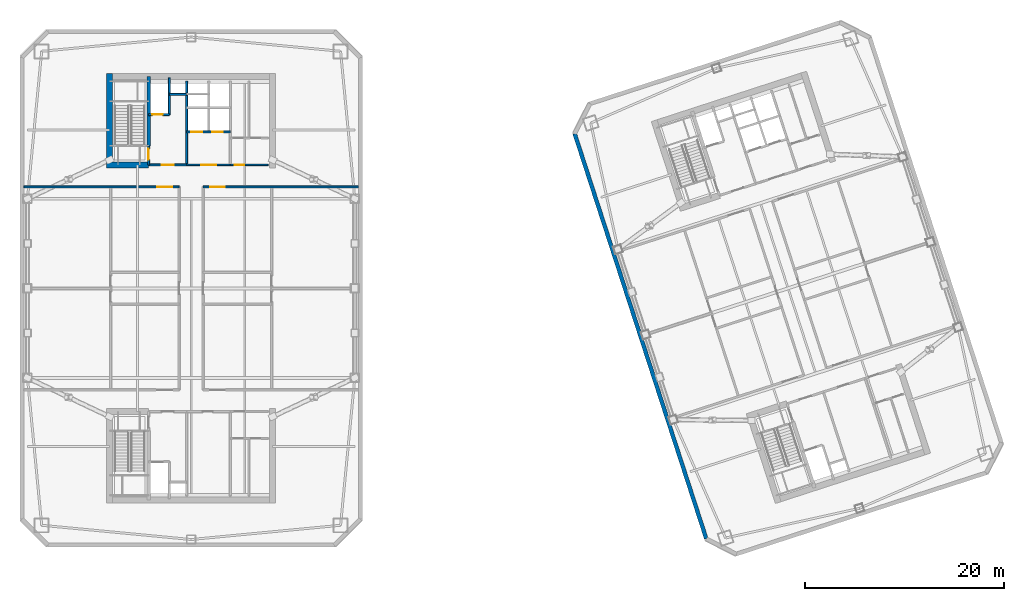
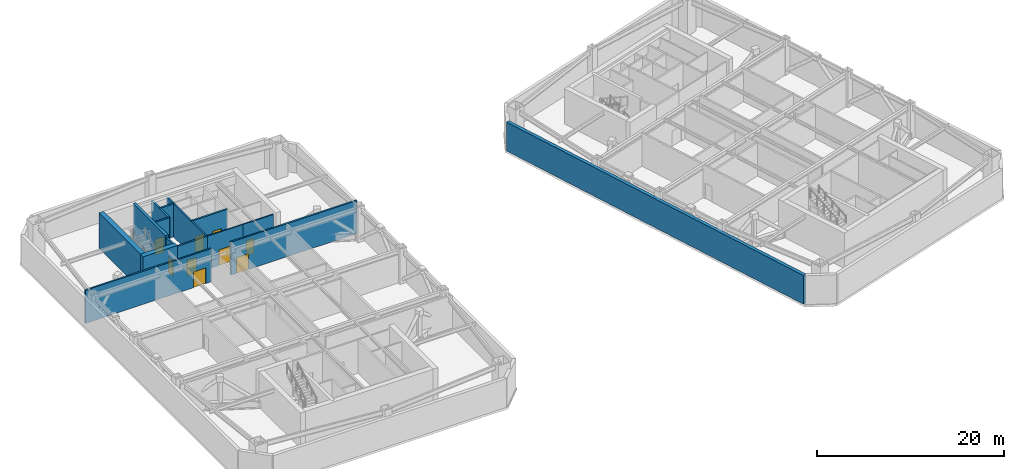
# One storey, part 11 of 17: 15 walls, 9 doors, 9 openings.
"""IFC4 building model written with IfcOpenShell, lengths in metres."""

from ifc_helpers import new_model, si_unit, direction, frame, frame_2d, origin, place, context, subcontext, project, spatial, rectangle, extrude, material, layer, layer_set, type_object, element, fill, save


model = new_model("IFC4")

# Units and contexts
model_context = context("Model", 3, precision=1e-05, world=origin(), true_north=direction((0.0, 1.0)))
body_context = subcontext(model_context, "Body", "Model", "MODEL_VIEW")
ifc_project = project(units=[si_unit("LENGTHUNIT", "METRE"), si_unit("AREAUNIT", "SQUARE_METRE"), si_unit("VOLUMEUNIT", "CUBIC_METRE"), si_unit("PLANEANGLEUNIT", "RADIAN"), si_unit("MASSUNIT", "GRAM", prefix="KILO")], contexts=[model_context])

# Site, building, storey
site_placement = place(None, origin())
site = spatial("IfcSite", under=ifc_project, at=site_placement, CompositionType="ELEMENT")
building_placement = place(site_placement, origin())
building = spatial("IfcBuilding", under=site, at=building_placement, Name="Qiaolan Cultural Towers", CompositionType="ELEMENT")
storey_placement = place(building_placement, frame((0.0, 0.0, 184.0)))
storey = spatial("IfcBuildingStorey", under=building, at=storey_placement, Name="L49", CompositionType="ELEMENT", Elevation=184.0)

# Walls
ifc_material_1 = material(Name="Concrete C50", Category="concrete")
ifc_layer_1 = layer(ifc_material_1, 0.35009765625)
ifc_layer_set_1 = layer_set([ifc_layer_1], Name="Concrete C50")
wall_type_1 = type_object("IfcWallType", Name="WL-CORE-350", PredefinedType="SHEAR", material=ifc_layer_set_1)
wall_1_placement = place(storey_placement, frame((25.719970703125, 48.300048828125, 0.0), z_axis=(0.0, 0.0, 1.0), x_axis=(0.0, 1.0, 0.0)))
element("IfcWall", 1, at=wall_1_placement, inside=storey, type_object=wall_type_1, Name="L49 T1-CN Stair Core Dividing Web", PredefinedType="SHEAR", context=body_context, shape_type="SweptSolid", body=[
    extrude(rectangle(XDim=6.97998046875, YDim=0.35009765625, at=frame_2d((3.489990234375, 0.0))), origin(), (0.0, 0.0, 1.0), 4.60009765625),
])
ifc_material_2 = material(Name="Concrete C55", Category="concrete")
ifc_layer_2 = layer(ifc_material_2, 0.60009765625)
ifc_layer_set_2 = layer_set([ifc_layer_2], Name="Concrete C55")
wall_type_2 = type_object("IfcWallType", Name="WL-CORE-600", PredefinedType="SHEAR", material=ifc_layer_set_2)
wall_2_placement = place(storey_placement, frame((21.800048828125, 46.10009765625, 0.0), z_axis=(0.0, 0.0, 1.0), x_axis=(0.0, 1.0, 0.0)))
element("IfcWall", 2, at=wall_2_placement, inside=storey, type_object=wall_type_2, Name="L49 T1-CN West Core Shear Wall", PredefinedType="SHEAR", context=body_context, shape_type="SweptSolid", body=[
    extrude(rectangle(XDim=9.47998046875, YDim=0.60009765625, at=frame_2d((4.739990234375, 0.0))), origin(), (0.0, 0.0, 1.0), 4.60009765625),
])
wall_3_placement = place(storey_placement, frame((21.5, 46.39990234375, 0.0), z_axis=(0.0, 0.0, 1.0), x_axis=(1.0, 0.0, 0.0)))
element("IfcWall", 3, at=wall_3_placement, inside=storey, type_object=wall_type_2, Name="L49 T1-CN Stair Front Shear Wall", PredefinedType="SHEAR", context=body_context, shape_type="SweptSolid", body=[
    extrude(rectangle(XDim=4.219970703125, YDim=0.60009765625, at=frame_2d((2.10986328125, 0.0))), origin(), (0.0, 0.0, 1.0), 4.60009765625),
])
ifc_material_3 = material(Name="Precast Concrete C50 Honed Stone Pier", Category="masonry")
ifc_layer_3 = layer(ifc_material_3, 0.39990234375)
ifc_layer_set_3 = layer_set([ifc_layer_3], Name="Precast Concrete C50 Honed Stone Pier")
wall_type_3 = type_object("IfcWallType", Name="WL-EXT-PIER-400", PredefinedType="SOLIDWALL", material=ifc_layer_set_3)
wall_4_placement = place(storey_placement, frame((81.7763671875, 8.82666015625, 0.0), z_axis=(0.0, 0.0, 1.0), x_axis=(-0.309014228706, 0.951057414911, 0.0)))
element("IfcWall", 4, at=wall_4_placement, inside=storey, type_object=wall_type_3, Name="L49 East Tower Precast Pier Facade Wall F1", PredefinedType="SOLIDWALL", context=body_context, shape_type="SweptSolid", body=[
    extrude(rectangle(XDim=42.800048828125, YDim=0.39990234375, at=frame_2d((21.39990234375, 0.0))), origin(), (0.0, 0.0, 1.0), 3.760009765625),
])

# Wall, opening, door
ifc_material_4 = material(Name="Concrete C35 Fire Wall", Category="concrete")
ifc_layer_4 = layer(ifc_material_4, 0.199951171875)
ifc_layer_set_4 = layer_set([ifc_layer_4], Name="Concrete C35 Fire Wall")
wall_type_4 = type_object("IfcWallType", Name="WL-FIRE-200", PredefinedType="PARTITIONING", material=ifc_layer_set_4)
wall_5_placement = place(storey_placement, frame((25.719970703125, 46.39990234375, 0.0), z_axis=(0.0, 0.0, 1.0), x_axis=(0.0, 1.0, 0.0)))
wall_5 = element("IfcWall", 5, at=wall_5_placement, inside=storey, type_object=wall_type_4, Name="L49 T1-CN Smokeproof Stair Entry Wall", PredefinedType="PARTITIONING", context=body_context, shape_type="SweptSolid", body=[
    extrude(rectangle(XDim=1.900146484375, YDim=0.199951171875, at=frame_2d((0.9501953125, 0.0))), origin(), (0.0, 0.0, 1.0), 4.324951171875),
])
opening_1_placement = place(wall_5_placement, frame((0.52001953125, 0.0, 0.0)))
opening_1 = element("IfcOpeningElement", 6, at=opening_1_placement, cuts=wall_5, Name="Opening FD-04", PredefinedType="OPENING", context=body_context, shape_type="SweptSolid", body=[
    extrude(rectangle(XDim=1.10009765625, YDim=2.050048828125, at=frame_2d((0.550048828125, 1.02490234375))), frame((0.0, 0.10986328125, 0.0), z_axis=(0.0, -1.0, 0.0), x_axis=(1.0, 0.0, 0.0)), (0.0, 0.0, 1.0), 0.219970703125),
])
ifc_material_5 = material(Name="Galvanized Steel Command Fire Door", Category="steel")
door_type_1 = type_object("IfcDoorType", Name="DR-FD90-1100", OperationType="NOTDEFINED", PredefinedType="DOOR", material=ifc_material_5)
door_1_placement = place(opening_1_placement, origin())
door_1 = element("IfcDoor", 7, at=door_1_placement, inside=storey, type_object=door_type_1, Name="L49 ST-W2 Smokeproof Stair Fire Door", OperationType="SINGLE_SWING_LEFT", OverallHeight=2.050048828125, OverallWidth=1.10009765625, PredefinedType="DOOR", context=body_context, shape_type="SweptSolid", body=[
    extrude(rectangle(XDim=1.10009765625, YDim=2.050048828125, at=frame_2d((0.550048828125, 1.02490234375))), frame((0.0, 0.02490234375, 0.0), z_axis=(0.0, -1.0, 0.0), x_axis=(1.0, 0.0, 0.0)), (0.0, 0.0, 1.0), 0.050048828125),
])
fill(opening_1, door_1)

# Wall
wall_6_placement = place(storey_placement, frame((29.550048828125, 46.39990234375, 0.0), z_axis=(0.0, 0.0, 1.0), x_axis=(0.0, 1.0, 0.0)))
element("IfcWall", 8, at=wall_6_placement, inside=storey, type_object=wall_type_4, Name="L49 T1-CN Firefighting Zone Wall", PredefinedType="PARTITIONING", context=body_context, shape_type="SweptSolid", body=[
    extrude(rectangle(XDim=8.43017578125, YDim=0.199951171875, at=frame_2d((4.215087890625, 0.0))), origin(), (0.0, 0.0, 1.0), 4.324951171875),
])

# Wall, opening, door
wall_7_placement = place(storey_placement, frame((25.719970703125, 46.39990234375, 0.0), z_axis=(0.0, 0.0, 1.0), x_axis=(1.0, 0.0, 0.0)))
wall_7 = element("IfcWall", 9, at=wall_7_placement, inside=storey, type_object=wall_type_4, Name="L49 T1-CN Firefighting Lobby Front Wall", PredefinedType="PARTITIONING", context=body_context, shape_type="SweptSolid", body=[
    extrude(rectangle(XDim=3.830078125, YDim=0.199951171875, at=frame_2d((1.9150390625, 0.0))), origin(), (0.0, 0.0, 1.0), 4.324951171875),
])
opening_2_placement = place(wall_7_placement, frame((1.35009765625, 0.0, 0.0)))
opening_2 = element("IfcOpeningElement", 10, at=opening_2_placement, cuts=wall_7, Name="Opening FD-03", PredefinedType="OPENING", context=body_context, shape_type="SweptSolid", body=[
    extrude(rectangle(XDim=1.199951171875, YDim=2.050048828125, at=frame_2d((0.60009765625, 1.02490234375))), frame((0.0, 0.10986328125, 0.0), z_axis=(0.0, -1.0, 0.0), x_axis=(1.0, 0.0, 0.0)), (0.0, 0.0, 1.0), 0.219970703125),
])
ifc_material_6 = material(Name="Galvanized Steel Smokeproof Lobby Fire Door", Category="steel")
door_type_2 = type_object("IfcDoorType", Name="DR-FD90-1200", OperationType="NOTDEFINED", PredefinedType="DOOR", material=ifc_material_6)
door_2_placement = place(opening_2_placement, origin())
door_2 = element("IfcDoor", 11, at=door_2_placement, inside=storey, type_object=door_type_2, Name="L49 FFL-W2 Firefighting Lobby Fire Door", OperationType="SINGLE_SWING_LEFT", OverallHeight=2.050048828125, OverallWidth=1.199951171875, PredefinedType="DOOR", context=body_context, shape_type="SweptSolid", body=[
    extrude(rectangle(XDim=1.199951171875, YDim=2.050048828125, at=frame_2d((0.60009765625, 1.02490234375))), frame((0.0, 0.02490234375, 0.0), z_axis=(0.0, -1.0, 0.0), x_axis=(1.0, 0.0, 0.0)), (0.0, 0.0, 1.0), 0.050048828125),
])
fill(opening_2, door_2)

wall_8_placement = place(storey_placement, frame((25.719970703125, 51.449951171875, 0.0), z_axis=(0.0, 0.0, 1.0), x_axis=(1.0, 0.0, 0.0)))
wall_8 = element("IfcWall", 12, at=wall_8_placement, inside=storey, type_object=wall_type_4, Name="L49 T1-CN Firefighting Shaft Front Wall", PredefinedType="PARTITIONING", context=body_context, shape_type="SweptSolid", body=[
    extrude(rectangle(XDim=2.10009765625, YDim=0.199951171875, at=frame_2d((1.050048828125, 0.0))), origin(), (0.0, 0.0, 1.0), 4.324951171875),
])
opening_3_placement = place(wall_8_placement, frame((0.35009765625, 0.0, 0.0)))
opening_3 = element("IfcOpeningElement", 13, at=opening_3_placement, cuts=wall_8, Name="Opening LD-01", PredefinedType="OPENING", context=body_context, shape_type="SweptSolid", body=[
    extrude(rectangle(XDim=1.10009765625, YDim=2.050048828125, at=frame_2d((0.550048828125, 1.02490234375))), frame((0.0, 0.10986328125, 0.0), z_axis=(0.0, -1.0, 0.0), x_axis=(1.0, 0.0, 0.0)), (0.0, 0.0, 1.0), 0.219970703125),
])
ifc_material_7 = material(Name="Brushed Stainless Steel S30408 Centre-Parting Lift Landing Door", Category="steel")
door_type_3 = type_object("IfcDoorType", Name="DR-LIFT-1100", OperationType="NOTDEFINED", PredefinedType="DOOR", material=ifc_material_7)
door_3_placement = place(opening_3_placement, origin())
door_3 = element("IfcDoor", 14, at=door_3_placement, inside=storey, type_object=door_type_3, Name="L49 FFL-W2 Firefighting Lift Landing Door", OperationType="DOUBLE_DOOR_SLIDING", OverallHeight=2.050048828125, OverallWidth=1.10009765625, PredefinedType="DOOR", context=body_context, shape_type="SweptSolid", body=[
    extrude(rectangle(XDim=1.10009765625, YDim=2.050048828125, at=frame_2d((0.550048828125, 1.02490234375))), frame((0.0, 0.02490234375, 0.0), z_axis=(0.0, -1.0, 0.0), x_axis=(1.0, 0.0, 0.0)), (0.0, 0.0, 1.0), 0.050048828125),
])
fill(opening_3, door_3)

# Walls
wall_9_placement = place(storey_placement, frame((27.820068359375, 51.449951171875, 0.0), z_axis=(0.0, 0.0, 1.0), x_axis=(0.0, 1.0, 0.0)))
element("IfcWall", 15, at=wall_9_placement, inside=storey, type_object=wall_type_4, Name="L49 T1-CN Firefighting Hoistway East Wall", PredefinedType="PARTITIONING", context=body_context, shape_type="SweptSolid", body=[
    extrude(rectangle(XDim=3.699951171875, YDim=0.199951171875, at=frame_2d((1.85009765625, 0.0))), origin(), (0.0, 0.0, 1.0), 4.324951171875),
])
wall_10_placement = place(storey_placement, frame((27.820068359375, 53.47998046875, 0.0), z_axis=(0.0, 0.0, 1.0), x_axis=(1.0, 0.0, 0.0)))
element("IfcWall", 16, at=wall_10_placement, inside=storey, type_object=wall_type_4, Name="L49 T1-CN Pressurization Shaft Front Wall", PredefinedType="PARTITIONING", context=body_context, shape_type="SweptSolid", body=[
    extrude(rectangle(XDim=1.72998046875, YDim=0.199951171875, at=frame_2d((0.864990234375, 0.0))), origin(), (0.0, 0.0, 1.0), 4.324951171875),
])

# Wall, openings, doors
wall_11_placement = place(storey_placement, frame((29.550048828125, 49.719970703125, 0.0), z_axis=(0.0, 0.0, 1.0), x_axis=(1.0, 0.0, 0.0)))
wall_11 = element("IfcWall", 17, at=wall_11_placement, inside=storey, type_object=wall_type_4, Name="L49 T1-CN Passenger Lift Shaft Front Wall", PredefinedType="PARTITIONING", context=body_context, shape_type="SweptSolid", body=[
    extrude(rectangle(XDim=4.39990234375, YDim=0.199951171875, at=frame_2d((2.199951171875, 0.0))), origin(), (0.0, 0.0, 1.0), 4.324951171875),
])
opening_4_placement = place(wall_11_placement, frame((0.449951171875, 0.0, 0.0)))
opening_4 = element("IfcOpeningElement", 18, at=opening_4_placement, cuts=wall_11, Name="Opening LD-01", PredefinedType="OPENING", context=body_context, shape_type="SweptSolid", body=[
    extrude(rectangle(XDim=1.10009765625, YDim=2.050048828125, at=frame_2d((0.550048828125, 1.02490234375))), frame((0.0, 0.10986328125, 0.0), z_axis=(0.0, -1.0, 0.0), x_axis=(1.0, 0.0, 0.0)), (0.0, 0.0, 1.0), 0.219970703125),
])
opening_5_placement = place(wall_11_placement, frame((2.550048828125, 0.0, 0.0)))
opening_5 = element("IfcOpeningElement", 19, at=opening_5_placement, cuts=wall_11, Name="Opening LD-01", PredefinedType="OPENING", context=body_context, shape_type="SweptSolid", body=[
    extrude(rectangle(XDim=1.10009765625, YDim=2.050048828125, at=frame_2d((0.550048828125, 1.02490234375))), frame((0.0, 0.10986328125, 0.0), z_axis=(0.0, -1.0, 0.0), x_axis=(1.0, 0.0, 0.0)), (0.0, 0.0, 1.0), 0.219970703125),
])
door_4_placement = place(opening_4_placement, origin())
door_4 = element("IfcDoor", 20, at=door_4_placement, inside=storey, type_object=door_type_3, Name="L49 Passenger Lift 1 Landing Door", OperationType="DOUBLE_DOOR_SLIDING", OverallHeight=2.050048828125, OverallWidth=1.10009765625, PredefinedType="DOOR", context=body_context, shape_type="SweptSolid", body=[
    extrude(rectangle(XDim=1.10009765625, YDim=2.050048828125, at=frame_2d((0.550048828125, 1.02490234375))), frame((0.0, 0.02490234375, 0.0), z_axis=(0.0, -1.0, 0.0), x_axis=(1.0, 0.0, 0.0)), (0.0, 0.0, 1.0), 0.050048828125),
])
fill(opening_4, door_4)
door_5_placement = place(opening_5_placement, origin())
door_5 = element("IfcDoor", 21, at=door_5_placement, inside=storey, type_object=door_type_3, Name="L49 Passenger Lift 2 Landing Door", OperationType="DOUBLE_DOOR_SLIDING", OverallHeight=2.050048828125, OverallWidth=1.10009765625, PredefinedType="DOOR", context=body_context, shape_type="SweptSolid", body=[
    extrude(rectangle(XDim=1.10009765625, YDim=2.050048828125, at=frame_2d((0.550048828125, 1.02490234375))), frame((0.0, 0.02490234375, 0.0), z_axis=(0.0, -1.0, 0.0), x_axis=(1.0, 0.0, 0.0)), (0.0, 0.0, 1.0), 0.050048828125),
])
fill(opening_5, door_5)

# Wall, opening, door
wall_12_placement = place(storey_placement, frame((13.199951171875, 44.199951171875, 0.0), z_axis=(0.0, 0.0, 1.0), x_axis=(1.0, 0.0, 0.0)))
wall_12 = element("IfcWall", 22, at=wall_12_placement, inside=storey, type_object=wall_type_4, Name="L49 T1 Fire Rated Plant/Refuge Wall NBW", PredefinedType="PARTITIONING", context=body_context, shape_type="SweptSolid", body=[
    extrude(rectangle(XDim=15.60009765625, YDim=0.199951171875, at=frame_2d((7.800048828125, 0.0))), origin(), (0.0, 0.0, 1.0), 4.324951171875),
])
opening_6_placement = place(wall_12_placement, frame((13.39990234375, 0.0, 0.0)))
opening_6 = element("IfcOpeningElement", 23, at=opening_6_placement, cuts=wall_12, Name="Opening FD-02", PredefinedType="OPENING", context=body_context, shape_type="SweptSolid", body=[
    extrude(rectangle(XDim=1.5, YDim=2.050048828125, at=frame_2d((0.75, 1.02490234375))), frame((0.0, 0.10986328125, 0.0), z_axis=(0.0, -1.0, 0.0), x_axis=(1.0, 0.0, 0.0)), (0.0, 0.0, 1.0), 0.219970703125),
])
ifc_material_8 = material(Name="Galvanized Steel Double Fire Door", Category="steel")
door_type_4 = type_object("IfcDoorType", Name="DR-FD90-1500", OperationType="NOTDEFINED", PredefinedType="DOOR", material=ifc_material_8)
door_6_placement = place(opening_6_placement, origin())
door_6 = element("IfcDoor", 24, at=door_6_placement, inside=storey, type_object=door_type_4, Name="L49 T1 West North Refuge Fire Door", OperationType="SINGLE_SWING_LEFT", OverallHeight=2.050048828125, OverallWidth=1.5, PredefinedType="DOOR", context=body_context, shape_type="SweptSolid", body=[
    extrude(rectangle(XDim=1.5, YDim=2.050048828125, at=frame_2d((0.75, 1.02490234375))), frame((0.0, 0.02490234375, 0.0), z_axis=(0.0, -1.0, 0.0), x_axis=(1.0, 0.0, 0.0)), (0.0, 0.0, 1.0), 0.050048828125),
])
fill(opening_6, door_6)

wall_13_placement = place(storey_placement, frame((31.199951171875, 44.199951171875, 0.0), z_axis=(0.0, 0.0, 1.0), x_axis=(1.0, 0.0, 0.0)))
wall_13 = element("IfcWall", 25, at=wall_13_placement, inside=storey, type_object=wall_type_4, Name="L49 T1 Fire Rated Plant/Refuge Wall NBE", PredefinedType="PARTITIONING", context=body_context, shape_type="SweptSolid", body=[
    extrude(rectangle(XDim=15.60009765625, YDim=0.199951171875, at=frame_2d((7.800048828125, 0.0))), origin(), (0.0, 0.0, 1.0), 4.324951171875),
])
opening_7_placement = place(wall_13_placement, frame((0.699951171875, 0.0, 0.0)))
opening_7 = element("IfcOpeningElement", 26, at=opening_7_placement, cuts=wall_13, Name="Opening FD-02", PredefinedType="OPENING", context=body_context, shape_type="SweptSolid", body=[
    extrude(rectangle(XDim=1.5, YDim=2.050048828125, at=frame_2d((0.75, 1.02490234375))), frame((0.0, 0.10986328125, 0.0), z_axis=(0.0, -1.0, 0.0), x_axis=(1.0, 0.0, 0.0)), (0.0, 0.0, 1.0), 0.219970703125),
])
door_7_placement = place(opening_7_placement, origin())
door_7 = element("IfcDoor", 27, at=door_7_placement, inside=storey, type_object=door_type_4, Name="L49 T1 East North Refuge Fire Door", OperationType="SINGLE_SWING_RIGHT", OverallHeight=2.050048828125, OverallWidth=1.5, PredefinedType="DOOR", context=body_context, shape_type="SweptSolid", body=[
    extrude(rectangle(XDim=1.5, YDim=2.050048828125, at=frame_2d((0.75, 1.02490234375))), frame((0.0, 0.02490234375, 0.0), z_axis=(0.0, -1.0, 0.0), x_axis=(1.0, 0.0, 0.0)), (0.0, 0.0, 1.0), 0.050048828125),
])
fill(opening_7, door_7)

ifc_material_9 = material(Name="Autoclaved Aerated Concrete Block B06", Category="concrete")
ifc_layer_5 = layer(ifc_material_9, 0.14990234375)
ifc_layer_set_5 = layer_set([ifc_layer_5], Name="Autoclaved Aerated Concrete Block B06")
wall_type_5 = type_object("IfcWallType", Name="WL-PART-150", PredefinedType="PARTITIONING", material=ifc_layer_set_5)
wall_14_placement = place(storey_placement, frame((29.550048828125, 46.39990234375, 0.0), z_axis=(0.0, 0.0, 1.0), x_axis=(1.0, 0.0, 0.0)))
wall_14 = element("IfcWall", 28, at=wall_14_placement, inside=storey, type_object=wall_type_5, Name="L49 T1-CN Passenger Lift Lobby Front Wall", PredefinedType="PARTITIONING", context=body_context, shape_type="SweptSolid", body=[
    extrude(rectangle(XDim=4.39990234375, YDim=0.14990234375, at=frame_2d((2.199951171875, 0.0))), origin(), (0.0, 0.0, 1.0), 4.324951171875),
])
opening_8_placement = place(wall_14_placement, frame((1.449951171875, 0.0, 0.0)))
opening_8 = element("IfcOpeningElement", 29, at=opening_8_placement, cuts=wall_14, Name="Opening FD-05", PredefinedType="OPENING", context=body_context, shape_type="SweptSolid", body=[
    extrude(rectangle(XDim=1.5, YDim=2.050048828125, at=frame_2d((0.75, 1.02490234375))), frame((0.0, 0.0849609375, 0.0), z_axis=(0.0, -1.0, 0.0), x_axis=(1.0, 0.0, 0.0)), (0.0, 0.0, 1.0), 0.169921875),
])
ifc_material_10 = material(Name="Painted Steel Lift Lobby Fire Door", Category="steel")
door_type_5 = type_object("IfcDoorType", Name="DR-FD60-1500", OperationType="NOTDEFINED", PredefinedType="DOOR", material=ifc_material_10)
door_8_placement = place(opening_8_placement, origin())
door_8 = element("IfcDoor", 30, at=door_8_placement, inside=storey, type_object=door_type_5, Name="L49 Passenger Lift Lobby Entrance", OperationType="SINGLE_SWING_LEFT", OverallHeight=2.050048828125, OverallWidth=1.5, PredefinedType="DOOR", context=body_context, shape_type="SweptSolid", body=[
    extrude(rectangle(XDim=1.5, YDim=2.050048828125, at=frame_2d((0.75, 1.02490234375))), frame((0.0, 0.02490234375, 0.0), z_axis=(0.0, -1.0, 0.0), x_axis=(1.0, 0.0, 0.0)), (0.0, 0.0, 1.0), 0.050048828125),
])
fill(opening_8, door_8)

wall_15_placement = place(storey_placement, frame((33.949951171875, 46.39990234375, 0.0), z_axis=(0.0, 0.0, 1.0), x_axis=(1.0, 0.0, 0.0)))
wall_15 = element("IfcWall", 31, at=wall_15_placement, inside=storey, type_object=wall_type_5, Name="L49 T1-CN Sanitary Core Front Wall", PredefinedType="PARTITIONING", context=body_context, shape_type="SweptSolid", body=[
    extrude(rectangle(XDim=3.800048828125, YDim=0.14990234375, at=frame_2d((1.89990234375, 0.0))), origin(), (0.0, 0.0, 1.0), 4.324951171875),
])
opening_9_placement = place(wall_15_placement, frame((0.449951171875, 0.0, 0.0)))
opening_9 = element("IfcOpeningElement", 32, at=opening_9_placement, cuts=wall_15, Name="Opening ID-05", PredefinedType="OPENING", context=body_context, shape_type="SweptSolid", body=[
    extrude(rectangle(XDim=0.949951171875, YDim=2.050048828125, at=frame_2d((0.47509765625, 1.02490234375))), frame((0.0, 0.0849609375, 0.0), z_axis=(0.0, -1.0, 0.0), x_axis=(1.0, 0.0, 0.0)), (0.0, 0.0, 1.0), 0.169921875),
])
ifc_material_11 = material(Name="Fire-Rated Laminate Accessible Core Door", Category="timber")
door_type_6 = type_object("IfcDoorType", Name="DR-INT-950", OperationType="NOTDEFINED", PredefinedType="DOOR", material=ifc_material_11)
door_9_placement = place(opening_9_placement, origin())
door_9 = element("IfcDoor", 33, at=door_9_placement, inside=storey, type_object=door_type_6, Name="L49 Sanitary Vestibule Door", OperationType="SINGLE_SWING_LEFT", OverallHeight=2.050048828125, OverallWidth=0.949951171875, PredefinedType="DOOR", context=body_context, shape_type="SweptSolid", body=[
    extrude(rectangle(XDim=0.949951171875, YDim=2.050048828125, at=frame_2d((0.47509765625, 1.02490234375))), frame((0.0, 0.02490234375, 0.0), z_axis=(0.0, -1.0, 0.0), x_axis=(1.0, 0.0, 0.0)), (0.0, 0.0, 1.0), 0.050048828125),
])
fill(opening_9, door_9)

save(model, "model.ifc")
